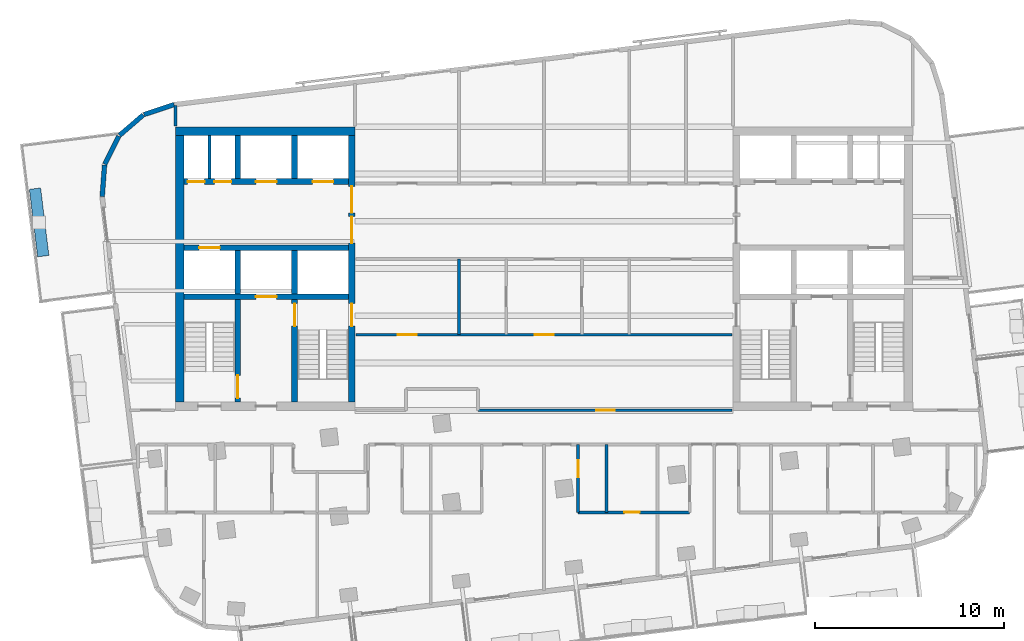
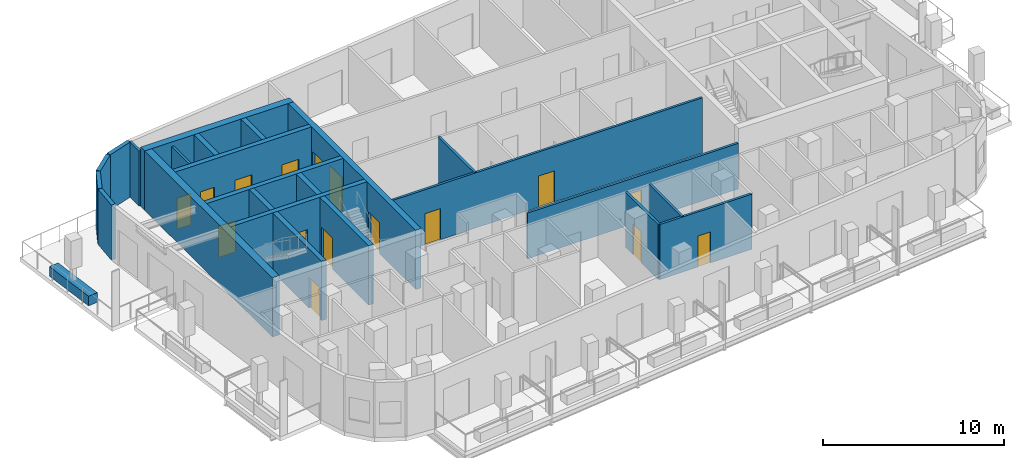
# One storey, part 4 of 11: 25 walls, 16 doors, 16 openings.
"""IFC4 building model written with IfcOpenShell, lengths in metres."""

from ifc_helpers import new_model, si_unit, direction, frame, frame_2d, origin, place, context, subcontext, project, spatial, rectangle, extrude, material, layer, layer_set, type_object, element, fill, save


model = new_model("IFC4")

# Units and contexts
model_context = context("Model", 3, precision=1e-05, world=origin(), true_north=direction((0.0, 1.0)))
body_context = subcontext(model_context, "Body", "Model", "MODEL_VIEW")
ifc_project = project(units=[si_unit("LENGTHUNIT", "METRE"), si_unit("AREAUNIT", "SQUARE_METRE"), si_unit("VOLUMEUNIT", "CUBIC_METRE"), si_unit("PLANEANGLEUNIT", "RADIAN"), si_unit("MASSUNIT", "GRAM", prefix="KILO")], contexts=[model_context])

# Site, building, storey
site_placement = place(None, origin())
site = spatial("IfcSite", under=ifc_project, at=site_placement, CompositionType="ELEMENT")
building_placement = place(site_placement, origin())
building = spatial("IfcBuilding", under=site, at=building_placement, Name="Torana Hotel and Residences", CompositionType="ELEMENT")
storey_placement = place(building_placement, frame((0.0, 0.0, 330.60009765625)))
storey = spatial("IfcBuildingStorey", under=building, at=storey_placement, Name="L87", CompositionType="ELEMENT", Elevation=330.60009765625)

# Wall, openings, doors
ifc_material_1 = material(Name="Concrete C60/75", Category="concrete")
ifc_layer_1 = layer(ifc_material_1, 0.300048828125)
ifc_layer_set_1 = layer_set([ifc_layer_1], Name="CORE WALL 300 C60/75")
wall_type_1 = type_object("IfcWallType", Name="CORE WALL 300 C60/75", PredefinedType="SHEAR", material=ifc_layer_set_1)
wall_1_placement = place(storey_placement, frame((-19.050048828125, -2.89990234375, 0.0), z_axis=(0.0, 0.0, 1.0), x_axis=(1.0, 0.0, 0.0)))
wall_1 = element("IfcWall", 1, at=wall_1_placement, inside=storey, type_object=wall_type_1, Name="Core wall W row-N", PredefinedType="SHEAR", context=body_context, shape_type="SweptSolid", body=[
    extrude(rectangle(XDim=8.699951171875, YDim=0.300048828125, at=frame_2d((4.35009765625, 0.0))), origin(), (0.0, 0.0, 1.0), 4.0),
])
opening_1_placement = place(wall_1_placement, frame((6.800048828125, 0.0, 0.0)))
opening_1 = element("IfcOpeningElement", 2, at=opening_1_placement, cuts=wall_1, Name="Opening LD", PredefinedType="OPENING", context=body_context, shape_type="SweptSolid", body=[
    extrude(rectangle(XDim=1.10009765625, YDim=2.10009765625, at=frame_2d((0.550048828125, 1.050048828125))), frame((0.0, 0.159912109375, 0.0), z_axis=(0.0, -1.0, 0.0), x_axis=(1.0, 0.0, 0.0)), (0.0, 0.0, 1.0), 0.320068359375),
])
opening_2_placement = place(wall_1_placement, frame((3.800048828125, 0.0, 0.0)))
opening_2 = element("IfcOpeningElement", 3, at=opening_2_placement, cuts=wall_1, Name="Opening LD", PredefinedType="OPENING", context=body_context, shape_type="SweptSolid", body=[
    extrude(rectangle(XDim=1.10009765625, YDim=2.10009765625, at=frame_2d((0.550048828125, 1.050048828125))), frame((0.0, 0.159912109375, 0.0), z_axis=(0.0, -1.0, 0.0), x_axis=(1.0, 0.0, 0.0)), (0.0, 0.0, 1.0), 0.320068359375),
])
opening_3_placement = place(wall_1_placement, frame((1.612548828125, 0.0, 0.0)))
opening_3 = element("IfcOpeningElement", 4, at=opening_3_placement, cuts=wall_1, Name="Opening L87-06", PredefinedType="OPENING", context=body_context, shape_type="SweptSolid", body=[
    extrude(rectangle(XDim=0.89990234375, YDim=2.10009765625, at=frame_2d((0.449951171875, 1.050048828125))), frame((0.0, 0.159912109375, 0.0), z_axis=(0.0, -1.0, 0.0), x_axis=(1.0, 0.0, 0.0)), (0.0, 0.0, 1.0), 0.320068359375),
])
opening_4_placement = place(wall_1_placement, frame((0.1875, 0.0, 0.0)))
opening_4 = element("IfcOpeningElement", 5, at=opening_4_placement, cuts=wall_1, Name="Opening L87-07", PredefinedType="OPENING", context=body_context, shape_type="SweptSolid", body=[
    extrude(rectangle(XDim=0.89990234375, YDim=2.10009765625, at=frame_2d((0.449951171875, 1.050048828125))), frame((0.0, 0.159912109375, 0.0), z_axis=(0.0, -1.0, 0.0), x_axis=(1.0, 0.0, 0.0)), (0.0, 0.0, 1.0), 0.320068359375),
])
ifc_material_2 = material(Name="Stainless steel 316", Category="steel")
door_type_1 = type_object("IfcDoorType", Name="LIFT LANDING DOOR LD 1100x2100", OperationType="DOUBLE_DOOR_SLIDING", PredefinedType="USERDEFINED", material=ifc_material_2)
door_1_placement = place(opening_1_placement, origin())
door_1 = element("IfcDoor", 6, at=door_1_placement, inside=storey, type_object=door_type_1, Name="Lift landing door H1 L87", ObjectType="LIFT LANDING DOOR", OperationType="DOUBLE_DOOR_SLIDING", OverallHeight=2.10009765625, OverallWidth=1.10009765625, PredefinedType="USERDEFINED", context=body_context, shape_type="SweptSolid", body=[
    extrude(rectangle(XDim=1.10009765625, YDim=2.10009765625, at=frame_2d((0.550048828125, 1.050048828125))), frame((0.0, 0.02490234375, 0.0), z_axis=(0.0, -1.0, 0.0), x_axis=(1.0, 0.0, 0.0)), (0.0, 0.0, 1.0), 0.050048828125),
])
fill(opening_1, door_1)
door_2_placement = place(opening_2_placement, origin())
door_2 = element("IfcDoor", 7, at=door_2_placement, inside=storey, type_object=door_type_1, Name="Lift landing door H2 L87", ObjectType="LIFT LANDING DOOR", OperationType="DOUBLE_DOOR_SLIDING", OverallHeight=2.10009765625, OverallWidth=1.10009765625, PredefinedType="USERDEFINED", context=body_context, shape_type="SweptSolid", body=[
    extrude(rectangle(XDim=1.10009765625, YDim=2.10009765625, at=frame_2d((0.550048828125, 1.050048828125))), frame((0.0, 0.02490234375, 0.0), z_axis=(0.0, -1.0, 0.0), x_axis=(1.0, 0.0, 0.0)), (0.0, 0.0, 1.0), 0.050048828125),
])
fill(opening_2, door_2)
ifc_material_3 = material(Name="Steel S235", Category="steel")
door_type_2 = type_object("IfcDoorType", Name="RISER ACCESS DOOR D5 900x2100", OperationType="SINGLE_SWING_LEFT", PredefinedType="DOOR", material=ifc_material_3)
door_3_placement = place(opening_3_placement, origin())
door_3 = element("IfcDoor", 8, at=door_3_placement, inside=storey, type_object=door_type_2, Name="N2A door L87", OperationType="SINGLE_SWING_RIGHT", OverallHeight=2.10009765625, OverallWidth=0.89990234375, PredefinedType="DOOR", context=body_context, shape_type="SweptSolid", body=[
    extrude(rectangle(XDim=0.89990234375, YDim=2.10009765625, at=frame_2d((0.449951171875, 1.050048828125))), frame((0.0, 0.02490234375, 0.0), z_axis=(0.0, -1.0, 0.0), x_axis=(1.0, 0.0, 0.0)), (0.0, 0.0, 1.0), 0.050048828125),
])
fill(opening_3, door_3)
door_4_placement = place(opening_4_placement, origin())
door_4 = element("IfcDoor", 9, at=door_4_placement, inside=storey, type_object=door_type_2, Name="N2B door L87", OperationType="SINGLE_SWING_RIGHT", OverallHeight=2.10009765625, OverallWidth=0.89990234375, PredefinedType="DOOR", context=body_context, shape_type="SweptSolid", body=[
    extrude(rectangle(XDim=0.89990234375, YDim=2.10009765625, at=frame_2d((0.449951171875, 1.050048828125))), frame((0.0, 0.02490234375, 0.0), z_axis=(0.0, -1.0, 0.0), x_axis=(1.0, 0.0, 0.0)), (0.0, 0.0, 1.0), 0.050048828125),
])
fill(opening_4, door_4)

# Wall, opening, door
wall_2_placement = place(storey_placement, frame((-19.050048828125, -6.39990234375, 0.0), z_axis=(0.0, 0.0, 1.0), x_axis=(1.0, 0.0, 0.0)))
wall_2 = element("IfcWall", 10, at=wall_2_placement, inside=storey, type_object=wall_type_1, Name="Core wall W row-S", PredefinedType="SHEAR", context=body_context, shape_type="SweptSolid", body=[
    extrude(rectangle(XDim=8.699951171875, YDim=0.300048828125, at=frame_2d((4.35009765625, 0.0))), origin(), (0.0, 0.0, 1.0), 4.0),
])
opening_5_placement = place(wall_2_placement, frame((0.800048828125, 0.0, 0.0)))
opening_5 = element("IfcOpeningElement", 11, at=opening_5_placement, cuts=wall_2, Name="Opening LD", PredefinedType="OPENING", context=body_context, shape_type="SweptSolid", body=[
    extrude(rectangle(XDim=1.10009765625, YDim=2.10009765625, at=frame_2d((0.550048828125, 1.050048828125))), frame((0.0, 0.159912109375, 0.0), z_axis=(0.0, -1.0, 0.0), x_axis=(1.0, 0.0, 0.0)), (0.0, 0.0, 1.0), 0.320068359375),
])
door_5_placement = place(opening_5_placement, origin())
door_5 = element("IfcDoor", 12, at=door_5_placement, inside=storey, type_object=door_type_1, Name="Lift landing door SV1 L87", ObjectType="LIFT LANDING DOOR", OperationType="DOUBLE_DOOR_SLIDING", OverallHeight=2.10009765625, OverallWidth=1.10009765625, PredefinedType="USERDEFINED", context=body_context, shape_type="SweptSolid", body=[
    extrude(rectangle(XDim=1.10009765625, YDim=2.10009765625, at=frame_2d((0.550048828125, 1.050048828125))), frame((0.0, 0.02490234375, 0.0), z_axis=(0.0, -1.0, 0.0), x_axis=(1.0, 0.0, 0.0)), (0.0, 0.0, 1.0), 0.050048828125),
])
fill(opening_5, door_5)

wall_3_placement = place(storey_placement, frame((-19.050048828125, -9.0, 0.0), z_axis=(0.0, 0.0, 1.0), x_axis=(1.0, 0.0, 0.0)))
wall_3 = element("IfcWall", 13, at=wall_3_placement, inside=storey, type_object=wall_type_1, Name="Core wall W band", PredefinedType="SHEAR", context=body_context, shape_type="SweptSolid", body=[
    extrude(rectangle(XDim=8.699951171875, YDim=0.300048828125, at=frame_2d((4.35009765625, 0.0))), origin(), (0.0, 0.0, 1.0), 4.0),
])
opening_6_placement = place(wall_3_placement, frame((3.800048828125, 0.0, 0.0)))
opening_6 = element("IfcOpeningElement", 14, at=opening_6_placement, cuts=wall_3, Name="Opening LD", PredefinedType="OPENING", context=body_context, shape_type="SweptSolid", body=[
    extrude(rectangle(XDim=1.10009765625, YDim=2.10009765625, at=frame_2d((0.550048828125, 1.050048828125))), frame((0.0, 0.159912109375, 0.0), z_axis=(0.0, -1.0, 0.0), x_axis=(1.0, 0.0, 0.0)), (0.0, 0.0, 1.0), 0.320068359375),
])
door_6_placement = place(opening_6_placement, origin())
door_6 = element("IfcDoor", 15, at=door_6_placement, inside=storey, type_object=door_type_1, Name="Lift landing door FF1 L87", ObjectType="LIFT LANDING DOOR", OperationType="DOUBLE_DOOR_SLIDING", OverallHeight=2.10009765625, OverallWidth=1.10009765625, PredefinedType="USERDEFINED", context=body_context, shape_type="SweptSolid", body=[
    extrude(rectangle(XDim=1.10009765625, YDim=2.10009765625, at=frame_2d((0.550048828125, 1.050048828125))), frame((0.0, 0.02490234375, 0.0), z_axis=(0.0, -1.0, 0.0), x_axis=(1.0, 0.0, 0.0)), (0.0, 0.0, 1.0), 0.050048828125),
])
fill(opening_6, door_6)

# Walls
for number, where, z_axis, x_axis, name in (
    (16, (-13.199951171875, -2.75, 0.0), (0.0, 0.0, 1.0), (0.0, 1.0, 0.0), "Core wall W x3.05-N"),
    (17, (-13.199951171875, -8.85009765625, 0.0), (0.0, 0.0, 1.0), (0.0, 1.0, 0.0), "Core wall W x3.05-S"),
):
    element("IfcWall", number, at=place(storey_placement, frame(where, z_axis=z_axis, x_axis=x_axis)), inside=storey, type_object=wall_type_1, Name=name, PredefinedType="SHEAR", context=body_context, shape_type="SweptSolid", body=[
        extrude(rectangle(XDim=2.300048828125, YDim=0.300048828125, at=frame_2d((1.14990234375, 0.0))), origin(), (0.0, 0.0, 1.0), 4.0),
    ])

# Wall, opening, door
wall_4_placement = place(storey_placement, frame((-13.199951171875, -14.550048828125, 0.0), z_axis=(0.0, 0.0, 1.0), x_axis=(0.0, 1.0, 0.0)))
wall_4 = element("IfcWall", 18, at=wall_4_placement, inside=storey, type_object=wall_type_1, Name="Core wall W x3.05-band", PredefinedType="SHEAR", context=body_context, shape_type="SweptSolid", body=[
    extrude(rectangle(XDim=5.400146484375, YDim=0.300048828125, at=frame_2d((2.7001953125, 0.0))), origin(), (0.0, 0.0, 1.0), 4.0),
])
opening_7_placement = place(wall_4_placement, frame((4.0, 0.0, 0.0)))
opening_7 = element("IfcOpeningElement", 19, at=opening_7_placement, cuts=wall_4, Name="Opening L87-08", PredefinedType="OPENING", context=body_context, shape_type="SweptSolid", body=[
    extrude(rectangle(XDim=1.199951171875, YDim=2.10009765625, at=frame_2d((0.60009765625, 1.050048828125))), frame((0.0, 0.159912109375, 0.0), z_axis=(0.0, -1.0, 0.0), x_axis=(1.0, 0.0, 0.0)), (0.0, 0.0, 1.0), 0.320068359375),
])
ifc_material_4 = material(Name="Steel S235", Category="steel")
door_type_3 = type_object("IfcDoorType", Name="STAIR FIRE DOOR D3 1200x2100", OperationType="SINGLE_SWING_LEFT", PredefinedType="DOOR", material=ifc_material_4)
door_7_placement = place(opening_7_placement, frame((0.60009765625, 0.0, 0.0), z_axis=(0.0, 0.0, 1.0), x_axis=(-1.0, 0.0, 0.0)))
door_7 = element("IfcDoor", 20, at=door_7_placement, inside=storey, type_object=door_type_3, Name="Stair-A-lobby door L87", OperationType="SINGLE_SWING_RIGHT", OverallHeight=2.10009765625, OverallWidth=1.199951171875, PredefinedType="DOOR", context=body_context, shape_type="SweptSolid", body=[
    extrude(rectangle(XDim=1.199951171875, YDim=2.10009765625, at=frame_2d((0.0, 1.050048828125))), frame((0.0, -0.02490234375, 0.0), z_axis=(0.0, 1.0, 0.0), x_axis=(-1.0, 0.0, 0.0)), (0.0, 0.0, 1.0), 0.050048828125),
])
fill(opening_7, door_7)

# Walls
for number, where, z_axis, x_axis, name in (
    (21, (-16.199951171875, -2.75, 0.0), (0.0, 0.0, 1.0), (0.0, 1.0, 0.0), "Core wall W x6.05-N"),
    (22, (-16.199951171875, -8.85009765625, 0.0), (0.0, 0.0, 1.0), (0.0, 1.0, 0.0), "Core wall W x6.05-S"),
):
    element("IfcWall", number, at=place(storey_placement, frame(where, z_axis=z_axis, x_axis=x_axis)), inside=storey, type_object=wall_type_1, Name=name, PredefinedType="SHEAR", context=body_context, shape_type="SweptSolid", body=[
        extrude(rectangle(XDim=2.300048828125, YDim=0.300048828125, at=frame_2d((1.14990234375, 0.0))), origin(), (0.0, 0.0, 1.0), 4.0),
    ])

# Wall, opening, door
wall_5_placement = place(storey_placement, frame((-16.199951171875, -14.550048828125, 0.0), z_axis=(0.0, 0.0, 1.0), x_axis=(0.0, 1.0, 0.0)))
wall_5 = element("IfcWall", 23, at=wall_5_placement, inside=storey, type_object=wall_type_1, Name="Core wall W x6.05-band", PredefinedType="SHEAR", context=body_context, shape_type="SweptSolid", body=[
    extrude(rectangle(XDim=5.400146484375, YDim=0.300048828125, at=frame_2d((2.7001953125, 0.0))), origin(), (0.0, 0.0, 1.0), 4.0),
])
opening_8_placement = place(wall_5_placement, frame((0.199951171875, 0.0, 0.0)))
opening_8 = element("IfcOpeningElement", 24, at=opening_8_placement, cuts=wall_5, Name="Opening L87-09", PredefinedType="OPENING", context=body_context, shape_type="SweptSolid", body=[
    extrude(rectangle(XDim=1.199951171875, YDim=2.10009765625, at=frame_2d((0.60009765625, 1.050048828125))), frame((0.0, 0.159912109375, 0.0), z_axis=(0.0, -1.0, 0.0), x_axis=(1.0, 0.0, 0.0)), (0.0, 0.0, 1.0), 0.320068359375),
])
door_8_placement = place(opening_8_placement, origin())
door_8 = element("IfcDoor", 25, at=door_8_placement, inside=storey, type_object=door_type_3, Name="Stair-B-lobby door L87", OperationType="SINGLE_SWING_RIGHT", OverallHeight=2.10009765625, OverallWidth=1.199951171875, PredefinedType="DOOR", context=body_context, shape_type="SweptSolid", body=[
    extrude(rectangle(XDim=1.199951171875, YDim=2.10009765625, at=frame_2d((0.60009765625, 1.050048828125))), frame((0.0, 0.02490234375, 0.0), z_axis=(0.0, -1.0, 0.0), x_axis=(1.0, 0.0, 0.0)), (0.0, 0.0, 1.0), 0.050048828125),
])
fill(opening_8, door_8)

# Wall, openings, doors
ifc_material_5 = material(Name="Concrete C60/75", Category="concrete")
ifc_layer_2 = layer(ifc_material_5, 0.35009765625)
ifc_layer_set_2 = layer_set([ifc_layer_2], Name="CORE WALL 350 C60/75")
wall_type_2 = type_object("IfcWallType", Name="CORE WALL 350 C60/75", PredefinedType="SHEAR", material=ifc_layer_set_2)
wall_6_placement = place(storey_placement, frame((-10.175048828125, -14.550048828125, 0.0), z_axis=(0.0, 0.0, 1.0), x_axis=(0.0, 1.0, 0.0)))
wall_6 = element("IfcWall", 26, at=wall_6_placement, inside=storey, type_object=wall_type_2, Name="Core wall W arch", PredefinedType="SHEAR", context=body_context, shape_type="SweptSolid", body=[
    extrude(rectangle(XDim=14.10009765625, YDim=0.35009765625, at=frame_2d((7.050048828125, 0.0))), origin(), (0.0, 0.0, 1.0), 4.0),
])
opening_9_placement = place(wall_6_placement, frame((8.39990234375, 0.0, 0.0)))
opening_9 = element("IfcOpeningElement", 27, at=opening_9_placement, cuts=wall_6, Name="Opening L87-01", PredefinedType="OPENING", context=body_context, shape_type="SweptSolid", body=[
    extrude(rectangle(XDim=1.39990234375, YDim=2.39990234375, at=frame_2d((0.699951171875, 1.199951171875))), frame((0.0, 0.18505859375, 0.0), z_axis=(0.0, -1.0, 0.0), x_axis=(1.0, 0.0, 0.0)), (0.0, 0.0, 1.0), 0.3701171875),
])
opening_10_placement = place(wall_6_placement, frame((10.0, 0.0, 0.0)))
opening_10 = element("IfcOpeningElement", 28, at=opening_10_placement, cuts=wall_6, Name="Opening L87-02", PredefinedType="OPENING", context=body_context, shape_type="SweptSolid", body=[
    extrude(rectangle(XDim=1.39990234375, YDim=2.39990234375, at=frame_2d((0.699951171875, 1.199951171875))), frame((0.0, 0.18505859375, 0.0), z_axis=(0.0, -1.0, 0.0), x_axis=(1.0, 0.0, 0.0)), (0.0, 0.0, 1.0), 0.3701171875),
])
opening_11_placement = place(wall_6_placement, frame((4.0, 0.0, 0.0)))
opening_11 = element("IfcOpeningElement", 29, at=opening_11_placement, cuts=wall_6, Name="Opening L87-03", PredefinedType="OPENING", context=body_context, shape_type="SweptSolid", body=[
    extrude(rectangle(XDim=1.199951171875, YDim=2.10009765625, at=frame_2d((0.60009765625, 1.050048828125))), frame((0.0, 0.18505859375, 0.0), z_axis=(0.0, -1.0, 0.0), x_axis=(1.0, 0.0, 0.0)), (0.0, 0.0, 1.0), 0.3701171875),
])
ifc_material_6 = material(Name="Steel S235", Category="steel")
door_type_4 = type_object("IfcDoorType", Name="LOBBY FIRE DOOR D4 1400x2400", OperationType="DOUBLE_DOOR_SINGLE_SWING", PredefinedType="DOOR", material=ifc_material_6)
door_9_placement = place(opening_9_placement, origin())
door_9 = element("IfcDoor", 30, at=door_9_placement, inside=storey, type_object=door_type_4, Name="Lobby-1 door L87", OperationType="DOUBLE_DOOR_SINGLE_SWING", OverallHeight=2.39990234375, OverallWidth=1.39990234375, PredefinedType="DOOR", context=body_context, shape_type="SweptSolid", body=[
    extrude(rectangle(XDim=1.39990234375, YDim=2.39990234375, at=frame_2d((0.699951171875, 1.199951171875))), frame((0.0, 0.02490234375, 0.0), z_axis=(0.0, -1.0, 0.0), x_axis=(1.0, 0.0, 0.0)), (0.0, 0.0, 1.0), 0.050048828125),
])
fill(opening_9, door_9)
door_10_placement = place(opening_10_placement, origin())
door_10 = element("IfcDoor", 31, at=door_10_placement, inside=storey, type_object=door_type_4, Name="Lobby-2 door L87", OperationType="DOUBLE_DOOR_SINGLE_SWING", OverallHeight=2.39990234375, OverallWidth=1.39990234375, PredefinedType="DOOR", context=body_context, shape_type="SweptSolid", body=[
    extrude(rectangle(XDim=1.39990234375, YDim=2.39990234375, at=frame_2d((0.699951171875, 1.199951171875))), frame((0.0, 0.02490234375, 0.0), z_axis=(0.0, -1.0, 0.0), x_axis=(1.0, 0.0, 0.0)), (0.0, 0.0, 1.0), 0.050048828125),
])
fill(opening_10, door_10)
door_11_placement = place(opening_11_placement, origin())
door_11 = element("IfcDoor", 32, at=door_11_placement, inside=storey, type_object=door_type_3, Name="Stair-A door L87", OperationType="SINGLE_SWING_LEFT", OverallHeight=2.10009765625, OverallWidth=1.199951171875, PredefinedType="DOOR", context=body_context, shape_type="SweptSolid", body=[
    extrude(rectangle(XDim=1.199951171875, YDim=2.10009765625, at=frame_2d((0.60009765625, 1.050048828125))), frame((0.0, 0.02490234375, 0.0), z_axis=(0.0, -1.0, 0.0), x_axis=(1.0, 0.0, 0.0)), (0.0, 0.0, 1.0), 0.050048828125),
])
fill(opening_11, door_11)

# Walls
ifc_material_7 = material(Name="Concrete C60/75", Category="concrete")
ifc_layer_3 = layer(ifc_material_7, 0.449951171875)
ifc_layer_set_3 = layer_set([ifc_layer_3], Name="CORE WALL 450 C60/75")
wall_type_3 = type_object("IfcWallType", Name="CORE WALL 450 C60/75", PredefinedType="SHEAR", material=ifc_layer_set_3)
wall_7_placement = place(storey_placement, frame((-19.5, -0.22509765625, 0.0), z_axis=(0.0, 0.0, 1.0), x_axis=(1.0, 0.0, 0.0)))
element("IfcWall", 33, at=wall_7_placement, inside=storey, type_object=wall_type_3, Name="Core wall W rear", PredefinedType="SHEAR", context=body_context, shape_type="SweptSolid", body=[
    extrude(rectangle(XDim=9.5, YDim=0.449951171875, at=frame_2d((4.75, 0.0))), origin(), (0.0, 0.0, 1.0), 4.0),
])
wall_8_placement = place(storey_placement, frame((-19.27490234375, -14.550048828125, 0.0), z_axis=(0.0, 0.0, 1.0), x_axis=(0.0, 1.0, 0.0)))
element("IfcWall", 34, at=wall_8_placement, inside=storey, type_object=wall_type_3, Name="Core wall W outer", PredefinedType="SHEAR", context=body_context, shape_type="SweptSolid", body=[
    extrude(rectangle(XDim=14.10009765625, YDim=0.449951171875, at=frame_2d((7.050048828125, 0.0))), origin(), (0.0, 0.0, 1.0), 4.0),
])
ifc_material_8 = material(Name="Black aluminium composite panel", Category="aluminium")
ifc_layer_4 = layer(ifc_material_8, 0.00390625, Name="Cladding", Category="cladding")
ifc_material_9 = material(Name="Ventilated air cavity")
ifc_layer_5 = layer(ifc_material_9, 0.0400390625, Name="Ventilated cavity", Category="cavity")
ifc_material_10 = material(Name="Mineral wool insulation")
ifc_layer_6 = layer(ifc_material_10, 0.090087890625, Name="Insulation", Category="insulation")
ifc_material_11 = material(Name="Steel S280GD", Category="steel")
ifc_layer_7 = layer(ifc_material_11, 0.092041015625, Name="Steel stud frame", Category="structure")
ifc_material_12 = material(Name="Fire rated plasterboard")
ifc_layer_8 = layer(ifc_material_12, 0.011962890625, Name="Inner board", Category="finish")
ifc_layer_9 = layer(ifc_material_12, 0.011962890625, Name="Second board", Category="finish")
ifc_layer_set_4 = layer_set([ifc_layer_4, ifc_layer_5, ifc_layer_6, ifc_layer_7, ifc_layer_8, ifc_layer_9], Name="EW1 EXTERNAL WALL BLACK METAL CLAD 250")
wall_type_4 = type_object("IfcWallType", Name="EW1 EXTERNAL WALL BLACK METAL CLAD 250", PredefinedType="SOLIDWALL", material=ifc_layer_set_4)
wall_9_placement = place(storey_placement, frame((-19.568359375, 1.1748046875, 0.0), z_axis=(0.0, 0.0, 1.0), x_axis=(-0.949694735798, -0.313177120489, 0.0)))
element("IfcWall", 35, at=wall_9_placement, inside=storey, type_object=wall_type_4, Name="External wall L87 e0.5", PredefinedType="SOLIDWALL", context=body_context, shape_type="SweptSolid", body=[
    extrude(rectangle(XDim=1.681396484375, YDim=0.25, at=frame_2d((0.8408203125, 0.0))), origin(), (0.0, 0.0, 1.0), 3.719970703125),
])
wall_10_placement = place(storey_placement, frame((-21.207763671875, 0.624267578125, 0.0), z_axis=(0.0, 0.0, 1.0), x_axis=(-0.757568315466, -0.652755886531, 0.0)))
element("IfcWall", 36, at=wall_10_placement, inside=storey, type_object=wall_type_4, Name="External wall L87 e0.6", PredefinedType="SOLIDWALL", context=body_context, shape_type="SweptSolid", body=[
    extrude(rectangle(XDim=1.65625, YDim=0.25, at=frame_2d((0.828125, 0.0))), origin(), (0.0, 0.0, 1.0), 3.719970703125),
])
wall_11_placement = place(storey_placement, frame((-22.49267578125, -0.495361328125, 0.0), z_axis=(0.0, 0.0, 1.0), x_axis=(-0.449982385812, -0.893037430604, 0.0)))
element("IfcWall", 37, at=wall_11_placement, inside=storey, type_object=wall_type_4, Name="External wall L87 e0.7", PredefinedType="SOLIDWALL", context=body_context, shape_type="SweptSolid", body=[
    extrude(rectangle(XDim=1.656494140625, YDim=0.25, at=frame_2d((0.828125, 0.0))), origin(), (0.0, 0.0, 1.0), 3.719970703125),
])
wall_12_placement = place(storey_placement, frame((-23.251220703125, -2.021484375, 0.0), z_axis=(0.0, 0.0, 1.0), x_axis=(-0.074053534713, -0.997254267475, 0.0)))
element("IfcWall", 38, at=wall_12_placement, inside=storey, type_object=wall_type_4, Name="External wall L87 e0.8", PredefinedType="SOLIDWALL", context=body_context, shape_type="SweptSolid", body=[
    extrude(rectangle(XDim=1.681396484375, YDim=0.25, at=frame_2d((0.8408203125, 0.0))), origin(), (0.0, 0.0, 1.0), 3.719970703125),
])
ifc_material_13 = material(Name="Gypsum plaster")
ifc_layer_10 = layer(ifc_material_13, 0.014892578125, Name="Plaster", Category="finish")
ifc_material_14 = material(Name="Concrete blockwork", Category="masonry")
ifc_layer_11 = layer(ifc_material_14, 0.1201171875, Name="Blockwork", Category="structure")
ifc_layer_12 = layer(ifc_material_13, 0.014892578125, Name="Plaster", Category="finish")
ifc_layer_set_5 = layer_set([ifc_layer_10, ifc_layer_11, ifc_layer_12], Name="FIRE PARTITION 150 BLOCKWORK")
wall_type_5 = type_object("IfcWallType", Name="FIRE PARTITION 150 BLOCKWORK", PredefinedType="PARTITIONING", material=ifc_layer_set_5)
wall_13_placement = place(storey_placement, frame((-17.699951171875, -2.75, 0.0), z_axis=(0.0, 0.0, 1.0), x_axis=(0.0, 1.0, 0.0)))
element("IfcWall", 39, at=wall_13_placement, inside=storey, type_object=wall_type_5, Name="Core partition L87", PredefinedType="PARTITIONING", context=body_context, shape_type="SweptSolid", body=[
    extrude(rectangle(XDim=2.300048828125, YDim=0.14990234375, at=frame_2d((1.14990234375, 0.0))), origin(), (0.0, 0.0, 1.0), 3.699951171875),
])

# Wall, opening, door
wall_14_placement = place(storey_placement, frame((-3.506103515625, -15.0, 0.0), z_axis=(0.0, 0.0, 1.0), x_axis=(1.0, 0.0, 0.0)))
wall_14 = element("IfcWall", 40, at=wall_14_placement, inside=storey, type_object=wall_type_5, Name="Partition L87", PredefinedType="PARTITIONING", context=body_context, shape_type="SweptSolid", body=[
    extrude(rectangle(XDim=13.4560546875, YDim=0.14990234375, at=frame_2d((6.72802734375, 0.0))), origin(), (0.0, 0.0, 1.0), 3.083984375),
])
opening_12_placement = place(wall_14_placement, frame((6.2529296875, 0.0, 0.0)))
opening_12 = element("IfcOpeningElement", 41, at=opening_12_placement, cuts=wall_14, Name="Opening L87-19", PredefinedType="OPENING", context=body_context, shape_type="SweptSolid", body=[
    extrude(rectangle(XDim=1.0, YDim=2.10009765625, at=frame_2d((0.5, 1.050048828125))), frame((0.0, 0.0849609375, 0.0), z_axis=(0.0, -1.0, 0.0), x_axis=(1.0, 0.0, 0.0)), (0.0, 0.0, 1.0), 0.169921875),
])
ifc_material_15 = material(Name="Steel S235", Category="steel")
door_type_5 = type_object("IfcDoorType", Name="ENTRY FIRE DOOR D6 1000x2100", OperationType="SINGLE_SWING_LEFT", PredefinedType="DOOR", material=ifc_material_15)
door_12_placement = place(opening_12_placement, origin())
door_12 = element("IfcDoor", 42, at=door_12_placement, inside=storey, type_object=door_type_5, Name="Door L87", OperationType="SINGLE_SWING_RIGHT", OverallHeight=2.10009765625, OverallWidth=1.0, PredefinedType="DOOR", context=body_context, shape_type="SweptSolid", body=[
    extrude(rectangle(XDim=1.0, YDim=2.10009765625, at=frame_2d((0.5, 1.050048828125))), frame((0.0, 0.02490234375, 0.0), z_axis=(0.0, -1.0, 0.0), x_axis=(1.0, 0.0, 0.0)), (0.0, 0.0, 1.0), 0.050048828125),
])
fill(opening_12, door_12)

# Wall, openings, doors
wall_15_placement = place(storey_placement, frame((-9.949951171875, -11.0, 0.0), z_axis=(0.0, 0.0, 1.0), x_axis=(1.0, 0.0, 0.0)))
wall_15 = element("IfcWall", 43, at=wall_15_placement, inside=storey, type_object=wall_type_5, Name="Partition L87", PredefinedType="PARTITIONING", context=body_context, shape_type="SweptSolid", body=[
    extrude(rectangle(XDim=19.89990234375, YDim=0.14990234375, at=frame_2d((9.949951171875, 0.0))), origin(), (0.0, 0.0, 1.0), 3.719970703125),
])
opening_13_placement = place(wall_15_placement, frame((9.449951171875, 0.0, 0.0)))
opening_13 = element("IfcOpeningElement", 44, at=opening_13_placement, cuts=wall_15, Name="Opening L87-29", PredefinedType="OPENING", context=body_context, shape_type="SweptSolid", body=[
    extrude(rectangle(XDim=1.0, YDim=2.10009765625, at=frame_2d((0.5, 1.050048828125))), frame((0.0, 0.0849609375, 0.0), z_axis=(0.0, -1.0, 0.0), x_axis=(1.0, 0.0, 0.0)), (0.0, 0.0, 1.0), 0.169921875),
])
opening_14_placement = place(wall_15_placement, frame((2.199951171875, 0.0, 0.0)))
opening_14 = element("IfcOpeningElement", 45, at=opening_14_placement, cuts=wall_15, Name="Opening L87-30", PredefinedType="OPENING", context=body_context, shape_type="SweptSolid", body=[
    extrude(rectangle(XDim=1.0, YDim=2.10009765625, at=frame_2d((0.5, 1.050048828125))), frame((0.0, 0.0849609375, 0.0), z_axis=(0.0, -1.0, 0.0), x_axis=(1.0, 0.0, 0.0)), (0.0, 0.0, 1.0), 0.169921875),
])
door_13_placement = place(opening_13_placement, origin())
door_13 = element("IfcDoor", 46, at=door_13_placement, inside=storey, type_object=door_type_5, Name="Door L87", OperationType="SINGLE_SWING_RIGHT", OverallHeight=2.10009765625, OverallWidth=1.0, PredefinedType="DOOR", context=body_context, shape_type="SweptSolid", body=[
    extrude(rectangle(XDim=1.0, YDim=2.10009765625, at=frame_2d((0.5, 1.050048828125))), frame((0.0, 0.02490234375, 0.0), z_axis=(0.0, -1.0, 0.0), x_axis=(1.0, 0.0, 0.0)), (0.0, 0.0, 1.0), 0.050048828125),
])
fill(opening_13, door_13)
door_14_placement = place(opening_14_placement, origin())
door_14 = element("IfcDoor", 47, at=door_14_placement, inside=storey, type_object=door_type_5, Name="Door L87", OperationType="SINGLE_SWING_RIGHT", OverallHeight=2.10009765625, OverallWidth=1.0, PredefinedType="DOOR", context=body_context, shape_type="SweptSolid", body=[
    extrude(rectangle(XDim=1.0, YDim=2.10009765625, at=frame_2d((0.5, 1.050048828125))), frame((0.0, 0.02490234375, 0.0), z_axis=(0.0, -1.0, 0.0), x_axis=(1.0, 0.0, 0.0)), (0.0, 0.0, 1.0), 0.050048828125),
])
fill(opening_14, door_14)

# Wall
ifc_material_16 = material(Name="Gypsum plasterboard")
ifc_layer_13 = layer(ifc_material_16, 0.012451171875, Name="Plasterboard", Category="finish")
ifc_layer_14 = layer(ifc_material_16, 0.012451171875, Name="Plasterboard", Category="finish")
ifc_layer_15 = layer(ifc_material_11, 0.10009765625, Name="Steel studs with mineral wool", Category="insulation")
ifc_layer_16 = layer(ifc_material_16, 0.012451171875, Name="Plasterboard", Category="finish")
ifc_layer_17 = layer(ifc_material_16, 0.012451171875, Name="Plasterboard", Category="finish")
ifc_layer_set_6 = layer_set([ifc_layer_13, ifc_layer_14, ifc_layer_15, ifc_layer_16, ifc_layer_17], Name="PARTITION 150 PLASTERBOARD")
wall_type_6 = type_object("IfcWallType", Name="PARTITION 150 PLASTERBOARD", PredefinedType="PARTITIONING", material=ifc_layer_set_6)
wall_16_placement = place(storey_placement, frame((3.300048828125, -20.39990234375, 0.0), z_axis=(0.0, 0.0, 1.0), x_axis=(0.0, 1.0, 0.0)))
element("IfcWall", 48, at=wall_16_placement, inside=storey, type_object=wall_type_6, Name="Partition L87", PredefinedType="PARTITIONING", context=body_context, shape_type="SweptSolid", body=[
    extrude(rectangle(XDim=3.599853515625, YDim=0.14990234375, at=frame_2d((1.7998046875, 0.0))), origin(), (0.0, 0.0, 1.0), 3.719970703125),
])

# Wall, opening, door
wall_17_placement = place(storey_placement, frame((1.800048828125, -20.39990234375, 0.0), z_axis=(0.0, 0.0, 1.0), x_axis=(0.0, 1.0, 0.0)))
wall_17 = element("IfcWall", 49, at=wall_17_placement, inside=storey, type_object=wall_type_6, Name="Partition L87", PredefinedType="PARTITIONING", context=body_context, shape_type="SweptSolid", body=[
    extrude(rectangle(XDim=3.599853515625, YDim=0.14990234375, at=frame_2d((1.7998046875, 0.0))), origin(), (0.0, 0.0, 1.0), 3.719970703125),
])
opening_15_placement = place(wall_17_placement, frame((1.866455078125, 0.0, 0.0)))
opening_15 = element("IfcOpeningElement", 50, at=opening_15_placement, cuts=wall_17, Name="Opening L87-43", PredefinedType="OPENING", context=body_context, shape_type="SweptSolid", body=[
    extrude(rectangle(XDim=0.89990234375, YDim=2.10009765625, at=frame_2d((0.449951171875, 1.050048828125))), frame((0.0, 0.0849609375, 0.0), z_axis=(0.0, -1.0, 0.0), x_axis=(1.0, 0.0, 0.0)), (0.0, 0.0, 1.0), 0.169921875),
])
ifc_material_17 = material(Name="Timber door, oiled ash", Category="wood")
door_type_6 = type_object("IfcDoorType", Name="ROOM DOOR D7 900x2100", OperationType="SINGLE_SWING_LEFT", PredefinedType="DOOR", material=ifc_material_17)
door_15_placement = place(opening_15_placement, origin())
door_15 = element("IfcDoor", 51, at=door_15_placement, inside=storey, type_object=door_type_6, Name="Door L87", OperationType="SINGLE_SWING_RIGHT", OverallHeight=2.10009765625, OverallWidth=0.89990234375, PredefinedType="DOOR", context=body_context, shape_type="SweptSolid", body=[
    extrude(rectangle(XDim=0.89990234375, YDim=2.10009765625, at=frame_2d((0.449951171875, 1.050048828125))), frame((0.0, 0.02490234375, 0.0), z_axis=(0.0, -1.0, 0.0), x_axis=(1.0, 0.0, 0.0)), (0.0, 0.0, 1.0), 0.050048828125),
])
fill(opening_15, door_15)

# Walls
wall_18_placement = place(storey_placement, frame((-4.5, -11.0, 0.0), z_axis=(0.0, 0.0, 1.0), x_axis=(0.0, 1.0, 0.0)))
element("IfcWall", 52, at=wall_18_placement, inside=storey, type_object=wall_type_6, Name="Partition L87", PredefinedType="PARTITIONING", context=body_context, shape_type="SweptSolid", body=[
    extrude(rectangle(XDim=4.0, YDim=0.14990234375, at=frame_2d((2.0, 0.0))), origin(), (0.0, 0.0, 1.0), 3.719970703125),
])
wall_19_placement = place(storey_placement, frame((-19.5, 0.050048828125, 0.0), z_axis=(0.0, 0.0, 1.0), x_axis=(0.0, 1.0, 0.0)))
element("IfcWall", 53, at=wall_19_placement, inside=storey, type_object=wall_type_6, Name="Partition L87", PredefinedType="PARTITIONING", context=body_context, shape_type="SweptSolid", body=[
    extrude(rectangle(XDim=1.080322265625, YDim=0.14990234375, at=frame_2d((0.5400390625, 0.0))), origin(), (0.0, 0.0, 1.0), 3.719970703125),
])

# Wall, opening, door
wall_20_placement = place(storey_placement, frame((1.800048828125, -20.39990234375, 0.0), z_axis=(0.0, 0.0, 1.0), x_axis=(1.0, 0.0, 0.0)))
wall_20 = element("IfcWall", 54, at=wall_20_placement, inside=storey, type_object=wall_type_6, Name="Partition L87", PredefinedType="PARTITIONING", context=body_context, shape_type="SweptSolid", body=[
    extrude(rectangle(XDim=5.89990234375, YDim=0.14990234375, at=frame_2d((2.949951171875, 0.0))), origin(), (0.0, 0.0, 1.0), 3.719970703125),
])
opening_16_placement = place(wall_20_placement, frame((2.449951171875, 0.0, 0.0)))
opening_16 = element("IfcOpeningElement", 55, at=opening_16_placement, cuts=wall_20, Name="Opening L87-44", PredefinedType="OPENING", context=body_context, shape_type="SweptSolid", body=[
    extrude(rectangle(XDim=0.800048828125, YDim=2.10009765625, at=frame_2d((0.39990234375, 1.050048828125))), frame((0.0, 0.0849609375, 0.0), z_axis=(0.0, -1.0, 0.0), x_axis=(1.0, 0.0, 0.0)), (0.0, 0.0, 1.0), 0.169921875),
])
ifc_material_18 = material(Name="Timber door, painted", Category="wood")
door_type_7 = type_object("IfcDoorType", Name="BATH DOOR D13 800x2100", OperationType="SINGLE_SWING_LEFT", PredefinedType="DOOR", material=ifc_material_18)
door_16_placement = place(opening_16_placement, origin())
door_16 = element("IfcDoor", 56, at=door_16_placement, inside=storey, type_object=door_type_7, Name="Door L87", OperationType="SINGLE_SWING_RIGHT", OverallHeight=2.10009765625, OverallWidth=0.800048828125, PredefinedType="DOOR", context=body_context, shape_type="SweptSolid", body=[
    extrude(rectangle(XDim=0.800048828125, YDim=2.10009765625, at=frame_2d((0.39990234375, 1.050048828125))), frame((0.0, 0.02490234375, 0.0), z_axis=(0.0, -1.0, 0.0), x_axis=(1.0, 0.0, 0.0)), (0.0, 0.0, 1.0), 0.050048828125),
])
fill(opening_16, door_16)

# Wall
ifc_material_19 = material(Name="Concrete C40/50 precast", Category="concrete")
ifc_layer_18 = layer(ifc_material_19, 0.10009765625, Name="Planter shell", Category="structure")
ifc_material_20 = material(Name="Root resistant membrane")
ifc_layer_19 = layer(ifc_material_20, 0.00390625, Name="Waterproofing membrane", Category="membrane")
ifc_material_21 = material(Name="Drainage board with filter fleece")
ifc_layer_20 = layer(ifc_material_21, 0.02001953125, Name="Drainage board", Category="drainage")
ifc_material_22 = material(Name="Growing medium")
ifc_layer_21 = layer(ifc_material_22, 0.47607421875, Name="Planting substrate", Category="soil")
ifc_layer_set_7 = layer_set([ifc_layer_18, ifc_layer_19, ifc_layer_20, ifc_layer_21], Name="PL1 BALCONY PLANTER 600")
wall_type_7 = type_object("IfcWallType", Name="PL1 BALCONY PLANTER 600", PredefinedType="USERDEFINED", material=ifc_layer_set_7)
wall_21_placement = place(storey_placement, frame((-26.492919921875, -6.8447265625, 0.0), z_axis=(0.0, 0.0, 1.0), x_axis=(-0.121872547154, 0.992545758265, 0.0)))
element("IfcWall", 57, at=wall_21_placement, inside=storey, type_object=wall_type_7, Name="Planter 09", ObjectType="PLANTER", PredefinedType="USERDEFINED", context=body_context, shape_type="SweptSolid", body=[
    extrude(rectangle(XDim=3.599853515625, YDim=0.60009765625, at=frame_2d((1.7998046875, 0.0))), origin(), (0.0, 0.0, 1.0), 0.64990234375),
])

save(model, "model.ifc")
